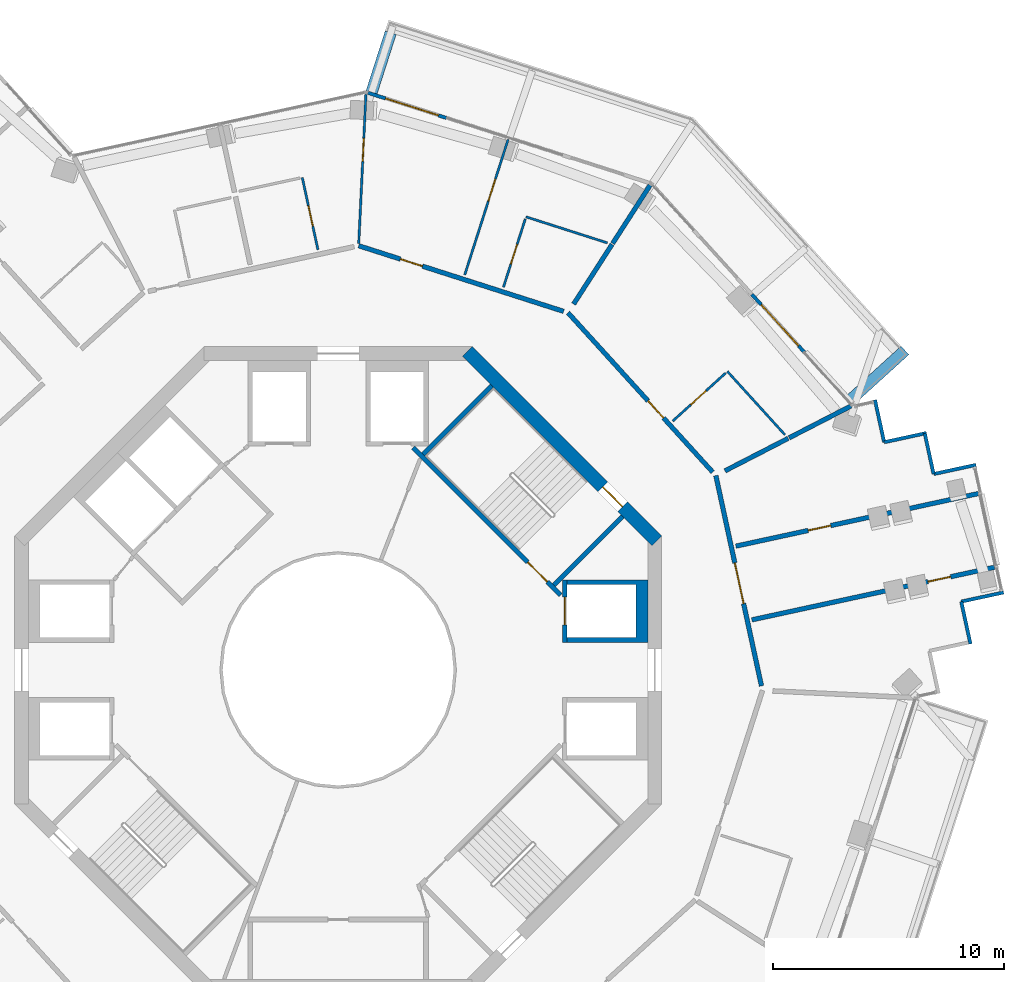
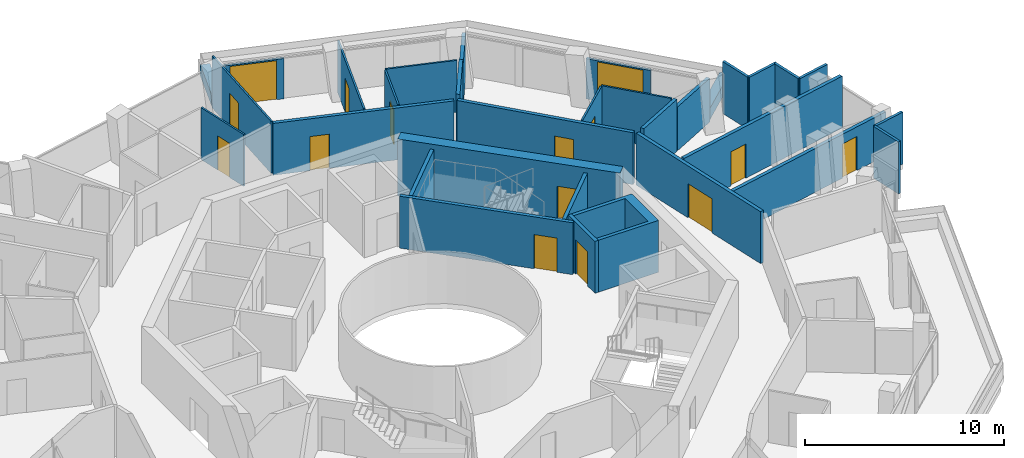
# One storey, part 19 of 23: 32 walls, 15 doors, 15 openings.
"""IFC4 building model written with IfcOpenShell, lengths in metres."""

from ifc_helpers import new_model, si_unit, direction, frame, frame_2d, origin, place, context, subcontext, project, spatial, polyline, rectangle, outline, extrude, material, layer, layer_set, type_object, element, fill, save


model = new_model("IFC4")

# Units and contexts
model_context = context("Model", 3, precision=1e-05, world=origin(), true_north=direction((0.0, 1.0)))
body_context = subcontext(model_context, "Body", "Model", "MODEL_VIEW")
ifc_project = project(units=[si_unit("LENGTHUNIT", "METRE"), si_unit("AREAUNIT", "SQUARE_METRE"), si_unit("VOLUMEUNIT", "CUBIC_METRE"), si_unit("PLANEANGLEUNIT", "RADIAN"), si_unit("MASSUNIT", "GRAM", prefix="KILO")], contexts=[model_context])

# Site, building, storey
site_placement = place(None, origin())
site = spatial("IfcSite", under=ifc_project, at=site_placement, CompositionType="ELEMENT")
building_placement = place(site_placement, origin())
building = spatial("IfcBuilding", under=site, at=building_placement, Name="Verdalira Terraces Hotel", CompositionType="ELEMENT")
storey_placement = place(building_placement, frame((0.0, 0.0, 205.5)))
storey = spatial("IfcBuildingStorey", under=building, at=storey_placement, Name="L50", CompositionType="ELEMENT", Elevation=205.5)

# Walls
ifc_material_1 = material(Name="Concrete C40", Category="concrete")
ifc_layer_1 = layer(ifc_material_1, 0.5)
ifc_layer_set_1 = layer_set([ifc_layer_1], Name="Balcony planter trough with tree")
wall_type_1 = type_object("IfcWallType", Name="Balcony planter trough with tree", PredefinedType="SOLIDWALL", material=ifc_layer_set_1)
wall_1_placement = place(storey_placement, frame((22.161621, 11.680908, 0.0), z_axis=(0.0, 0.0, 1.0), x_axis=(0.74028876, 0.672289039, 0.0)))
element("IfcWall", 1, at=wall_1_placement, inside=storey, type_object=wall_type_1, Name="Balcony planter", PredefinedType="SOLIDWALL", context=body_context, shape_type="SweptSolid", body=[
    extrude(rectangle(XDim=3.198975, YDim=0.5, at=frame_2d((1.599609, 0.0))), origin(), (0.0, 0.0, 1.0), 0.699951),
])
wall_2_placement = place(storey_placement, frame((2.270996, 27.580078, 0.0), z_axis=(0.0, 0.0, 1.0), x_axis=(-0.304998891, -0.952352706, 0.0)))
element("IfcWall", 2, at=wall_2_placement, inside=storey, type_object=wall_type_1, Name="Balcony planter", PredefinedType="SOLIDWALL", context=body_context, shape_type="SweptSolid", body=[
    extrude(rectangle(XDim=2.699219, YDim=0.5, at=frame_2d((1.349609, 0.0))), origin(), (0.0, 0.0, 1.0), 0.699951),
])

# Wall, opening, door
ifc_material_2 = material(Name="Moisture-resistant gypsum board partition")
ifc_layer_2 = layer(ifc_material_2, 0.10009765625)
ifc_layer_set_2 = layer_set([ifc_layer_2], Name="Bathroom partition 100 mm")
wall_type_2 = type_object("IfcWallType", Name="Bathroom partition 100 mm", PredefinedType="PARTITIONING", material=ifc_layer_set_2)
wall_3_placement = place(storey_placement, frame((-0.875488, 18.186035, 0.0), z_axis=(0.0, 0.0, 1.0), x_axis=(-0.21200838, 0.977267848, 0.0)))
wall_3 = element("IfcWall", 3, at=wall_3_placement, inside=storey, type_object=wall_type_2, Name="Bathroom partition", PredefinedType="PARTITIONING", context=body_context, shape_type="SweptSolid", body=[
    extrude(rectangle(XDim=3.200195, YDim=0.100098, at=frame_2d((1.600098, 0.0))), origin(), (0.0, 0.0, 1.0), 3.189941),
])
opening_1_placement = place(wall_3_placement, frame((1.050049, 0.0, 0.0)))
opening_1 = element("IfcOpeningElement", 4, at=opening_1_placement, cuts=wall_3, Name="Opening L50-132", PredefinedType="OPENING", context=body_context, shape_type="SweptSolid", body=[
    extrude(rectangle(XDim=0.899902, YDim=2.100098, at=frame_2d((0.449951, 1.050049))), frame((0.0, 0.060059, 0.0), z_axis=(0.0, -1.0, 0.0), x_axis=(1.0, 0.0, 0.0)), (0.0, 0.0, 1.0), 0.120117),
])
ifc_material_3 = material(Name="Timber door", Category="wood")
door_type_1 = type_object("IfcDoorType", Name="Bathroom door 900 x 2100", OperationType="NOTDEFINED", PredefinedType="DOOR", material=ifc_material_3)
door_1_placement = place(opening_1_placement, origin())
door_1 = element("IfcDoor", 5, at=door_1_placement, inside=storey, type_object=door_type_1, Name="Bathroom door 5012", OperationType="SINGLE_SWING_RIGHT", OverallHeight=2.10009765625, OverallWidth=0.89990234375, PredefinedType="DOOR", context=body_context, shape_type="SweptSolid", body=[
    extrude(rectangle(XDim=0.899902, YDim=2.100098, at=frame_2d((0.449951, 1.050049))), frame((0.0, 0.024902, 0.0), z_axis=(0.0, -1.0, 0.0), x_axis=(1.0, 0.0, 0.0)), (0.0, 0.0, 1.0), 0.050049),
])
fill(opening_1, door_1)

wall_4_placement = place(storey_placement, frame((0.890381, 18.466797, 0.0), z_axis=(0.0, 0.0, 1.0), x_axis=(0.048143701, 0.99884042, 0.0)))
wall_4 = element("IfcWall", 6, at=wall_4_placement, inside=storey, type_object=wall_type_2, Name="Bathroom partition", PredefinedType="PARTITIONING", context=body_context, shape_type="SweptSolid", body=[
    extrude(rectangle(XDim=6.47583, YDim=0.100098, at=frame_2d((3.237793, 0.0))), origin(), (0.0, 0.0, 1.0), 3.189941),
])
opening_2_placement = place(wall_4_placement, frame((3.550049, 0.0, 0.0)))
opening_2 = element("IfcOpeningElement", 7, at=opening_2_placement, cuts=wall_4, Name="Opening L50-130", PredefinedType="OPENING", context=body_context, shape_type="SweptSolid", body=[
    extrude(rectangle(XDim=1.0, YDim=2.100098, at=frame_2d((0.5, 1.050049))), frame((0.0, 0.060059, 0.0), z_axis=(0.0, -1.0, 0.0), x_axis=(1.0, 0.0, 0.0)), (0.0, 0.0, 1.0), 0.120117),
])
ifc_material_4 = material(Name="Timber door", Category="wood")
door_type_2 = type_object("IfcDoorType", Name="Suite internal door 1000 x 2100", OperationType="NOTDEFINED", PredefinedType="DOOR", material=ifc_material_4)
door_2_placement = place(opening_2_placement, origin())
door_2 = element("IfcDoor", 8, at=door_2_placement, inside=storey, type_object=door_type_2, Name="Suite internal door 5012", OperationType="SINGLE_SWING_LEFT", OverallHeight=2.10009765625, OverallWidth=1.0, PredefinedType="DOOR", context=body_context, shape_type="SweptSolid", body=[
    extrude(rectangle(XDim=1.0, YDim=2.100098, at=frame_2d((0.5, 1.050049))), frame((0.0, 0.024902, 0.0), z_axis=(0.0, -1.0, 0.0), x_axis=(1.0, 0.0, 0.0)), (0.0, 0.0, 1.0), 0.050049),
])
fill(opening_2, door_2)

wall_5_placement = place(storey_placement, frame((7.35376, 22.959473, 0.0), z_axis=(0.0, 0.0, 1.0), x_axis=(-0.305034988, -0.952341145, 0.0)))
wall_5 = element("IfcWall", 9, at=wall_5_placement, inside=storey, type_object=wall_type_2, Name="Bathroom partition", PredefinedType="PARTITIONING", context=body_context, shape_type="SweptSolid", body=[
    extrude(rectangle(XDim=6.150146, YDim=0.100098, at=frame_2d((3.075195, 0.0))), origin(), (0.0, 0.0, 1.0), 3.189941),
])
opening_3_placement = place(wall_5_placement, frame((1.800049, 0.0, 0.0)))
opening_3 = element("IfcOpeningElement", 10, at=opening_3_placement, cuts=wall_5, Name="Opening L50-129", PredefinedType="OPENING", context=body_context, shape_type="SweptSolid", body=[
    extrude(rectangle(XDim=1.0, YDim=2.100098, at=frame_2d((0.5, 1.050049))), frame((0.0, 0.060059, 0.0), z_axis=(0.0, -1.0, 0.0), x_axis=(1.0, 0.0, 0.0)), (0.0, 0.0, 1.0), 0.120117),
])
door_3_placement = place(opening_3_placement, origin())
door_3 = element("IfcDoor", 11, at=door_3_placement, inside=storey, type_object=door_type_2, Name="Suite internal door 5012", OperationType="SINGLE_SWING_LEFT", OverallHeight=2.10009765625, OverallWidth=1.0, PredefinedType="DOOR", context=body_context, shape_type="SweptSolid", body=[
    extrude(rectangle(XDim=1.0, YDim=2.100098, at=frame_2d((0.5, 1.050049))), frame((0.0, 0.024902, 0.0), z_axis=(0.0, -1.0, 0.0), x_axis=(1.0, 0.0, 0.0)), (0.0, 0.0, 1.0), 0.050049),
])
fill(opening_3, door_3)

wall_6_placement = place(storey_placement, frame((8.0979, 19.518311, 0.0), z_axis=(0.0, 0.0, 1.0), x_axis=(-0.305030051, -0.952342726, 0.0)))
wall_6 = element("IfcWall", 12, at=wall_6_placement, inside=storey, type_object=wall_type_2, Name="Bathroom partition", PredefinedType="PARTITIONING", context=body_context, shape_type="SweptSolid", body=[
    extrude(rectangle(XDim=3.099854, YDim=0.100098, at=frame_2d((1.549805, 0.0))), origin(), (0.0, 0.0, 1.0), 3.189941),
])
opening_4_placement = place(wall_6_placement, frame((1.149902, 0.0, 0.0)))
opening_4 = element("IfcOpeningElement", 13, at=opening_4_placement, cuts=wall_6, Name="Opening L50-131", PredefinedType="OPENING", context=body_context, shape_type="SweptSolid", body=[
    extrude(rectangle(XDim=0.899902, YDim=2.100098, at=frame_2d((0.449951, 1.050049))), frame((0.0, 0.060059, 0.0), z_axis=(0.0, -1.0, 0.0), x_axis=(1.0, 0.0, 0.0)), (0.0, 0.0, 1.0), 0.120117),
])
door_4_placement = place(opening_4_placement, origin())
door_4 = element("IfcDoor", 14, at=door_4_placement, inside=storey, type_object=door_type_1, Name="Bathroom door 5012", OperationType="SINGLE_SWING_LEFT", OverallHeight=2.10009765625, OverallWidth=0.89990234375, PredefinedType="DOOR", context=body_context, shape_type="SweptSolid", body=[
    extrude(rectangle(XDim=0.899902, YDim=2.100098, at=frame_2d((0.449951, 1.050049))), frame((0.0, 0.024902, 0.0), z_axis=(0.0, -1.0, 0.0), x_axis=(1.0, 0.0, 0.0)), (0.0, 0.0, 1.0), 0.050049),
])
fill(opening_4, door_4)

# Wall
wall_7_placement = place(storey_placement, frame((11.656006, 18.483887, 0.0), z_axis=(0.0, 0.0, 1.0), x_axis=(-0.952360606, 0.304974221, 0.0)))
element("IfcWall", 15, at=wall_7_placement, inside=storey, type_object=wall_type_2, Name="Bathroom partition", PredefinedType="PARTITIONING", context=body_context, shape_type="SweptSolid", body=[
    extrude(rectangle(XDim=3.704102, YDim=0.100098, at=frame_2d((1.852051, 0.0))), origin(), (0.0, 0.0, 1.0), 3.189941),
])

# Wall, opening, door
wall_8_placement = place(storey_placement, frame((16.772217, 12.854492, 0.0), z_axis=(0.0, 0.0, 1.0), x_axis=(-0.74031058, -0.672265011, 0.0)))
wall_8 = element("IfcWall", 16, at=wall_8_placement, inside=storey, type_object=wall_type_2, Name="Bathroom partition", PredefinedType="PARTITIONING", context=body_context, shape_type="SweptSolid", body=[
    extrude(rectangle(XDim=3.099854, YDim=0.100098, at=frame_2d((1.549805, 0.0))), origin(), (0.0, 0.0, 1.0), 3.189941),
])
opening_5_placement = place(wall_8_placement, frame((1.149902, 0.0, 0.0)))
opening_5 = element("IfcOpeningElement", 17, at=opening_5_placement, cuts=wall_8, Name="Opening L50-127", PredefinedType="OPENING", context=body_context, shape_type="SweptSolid", body=[
    extrude(rectangle(XDim=0.899902, YDim=2.100098, at=frame_2d((0.449951, 1.050049))), frame((0.0, 0.060059, 0.0), z_axis=(0.0, -1.0, 0.0), x_axis=(1.0, 0.0, 0.0)), (0.0, 0.0, 1.0), 0.120117),
])
door_5_placement = place(opening_5_placement, origin())
door_5 = element("IfcDoor", 18, at=door_5_placement, inside=storey, type_object=door_type_1, Name="Bathroom door 5011", OperationType="SINGLE_SWING_LEFT", OverallHeight=2.10009765625, OverallWidth=0.89990234375, PredefinedType="DOOR", context=body_context, shape_type="SweptSolid", body=[
    extrude(rectangle(XDim=0.899902, YDim=2.100098, at=frame_2d((0.449951, 1.050049))), frame((0.0, 0.024902, 0.0), z_axis=(0.0, -1.0, 0.0), x_axis=(1.0, 0.0, 0.0)), (0.0, 0.0, 1.0), 0.050049),
])
fill(opening_5, door_5)

# Walls
wall_9_placement = place(storey_placement, frame((16.846191, 12.921631, 0.0), z_axis=(0.0, 0.0, 1.0), x_axis=(0.672242906, -0.740330652, 0.0)))
element("IfcWall", 19, at=wall_9_placement, inside=storey, type_object=wall_type_2, Name="Bathroom partition", PredefinedType="PARTITIONING", context=body_context, shape_type="SweptSolid", body=[
    extrude(rectangle(XDim=3.704102, YDim=0.100098, at=frame_2d((1.852051, 0.0))), origin(), (0.0, 0.0, 1.0), 3.189941),
])
ifc_material_5 = material(Name="Concrete C50", Category="concrete")
ifc_layer_3 = layer(ifc_material_5, 0.199951171875)
ifc_layer_set_3 = layer_set([ifc_layer_3], Name="Core RC wall 200 C50")
wall_type_3 = type_object("IfcWallType", Name="Core RC wall 200 C50", PredefinedType="SOLIDWALL", material=ifc_layer_set_3)
wall_10_placement = place(storey_placement, origin())
element("IfcWall", 20, at=wall_10_placement, inside=storey, type_object=wall_type_3, Name="L50 shaft wall E2", PredefinedType="SOLIDWALL", context=body_context, shape_type="SweptSolid", body=[
    extrude(outline(polyline([(13.399902, 3.899902), (13.399902, 1.199951), (9.899902, 1.199951), (9.899902, 1.399902), (12.899902, 1.399902), (12.899902, 3.699951), (9.899902, 3.699951), (9.899902, 3.899902), (13.399902, 3.899902)])), origin(), (0.0, 0.0, 1.0), 3.189941),
])

# Wall, opening, door
wall_11_placement = place(storey_placement, frame((9.800049, 1.199951, 0.0), z_axis=(0.0, 0.0, 1.0), x_axis=(0.0, 1.0, 0.0)))
wall_11 = element("IfcWall", 21, at=wall_11_placement, inside=storey, type_object=wall_type_3, Name="L50 shaft front wall E2", PredefinedType="SOLIDWALL", context=body_context, shape_type="SweptSolid", body=[
    extrude(rectangle(XDim=2.699951, YDim=0.199951, at=frame_2d((1.350098, 0.0))), origin(), (0.0, 0.0, 1.0), 3.189941),
])
opening_6_placement = place(wall_11_placement, frame((0.75, 0.0, 0.0)))
opening_6 = element("IfcOpeningElement", 22, at=opening_6_placement, cuts=wall_11, Name="Opening LD-L50-803", PredefinedType="OPENING", context=body_context, shape_type="SweptSolid", body=[
    extrude(rectangle(XDim=1.199951, YDim=2.100098, at=frame_2d((0.600098, 1.050049))), frame((0.0, 0.109863, 0.0), z_axis=(0.0, -1.0, 0.0), x_axis=(1.0, 0.0, 0.0)), (0.0, 0.0, 1.0), 0.219971),
])
ifc_material_6 = material(Name="Stainless steel", Category="steel")
door_type_3 = type_object("IfcDoorType", Name="Landing door 1200 x 2100", OperationType="NOTDEFINED", PredefinedType="DOOR", material=ifc_material_6)
door_6_placement = place(opening_6_placement, origin())
door_6 = element("IfcDoor", 23, at=door_6_placement, inside=storey, type_object=door_type_3, Name="Lift landing door HR2 L50", OperationType="DOUBLE_DOOR_SLIDING", OverallHeight=2.10009765625, OverallWidth=1.199951171875, PredefinedType="DOOR", context=body_context, shape_type="SweptSolid", body=[
    extrude(rectangle(XDim=1.199951, YDim=2.100098, at=frame_2d((0.600098, 1.050049))), frame((0.0, 0.024902, 0.0), z_axis=(0.0, -1.0, 0.0), x_axis=(1.0, 0.0, 0.0)), (0.0, 0.0, 1.0), 0.050049),
])
fill(opening_6, door_6)

wall_12_placement = place(storey_placement, frame((3.23999, 9.629395, 0.0), z_axis=(0.0, 0.0, 1.0), x_axis=(0.707106781, -0.707106781, 0.0)))
wall_12 = element("IfcWall", 24, at=wall_12_placement, inside=storey, type_object=wall_type_3, Name="L50 stair ST1 front wall", PredefinedType="SOLIDWALL", context=body_context, shape_type="SweptSolid", body=[
    extrude(rectangle(XDim=9.035889, YDim=0.199951, at=frame_2d((4.518066, 0.0))), origin(), (0.0, 0.0, 1.0), 3.189941),
])
opening_7_placement = place(wall_12_placement, frame((7.017822, 0.0, 0.0)))
opening_7 = element("IfcOpeningElement", 25, at=opening_7_placement, cuts=wall_12, Name="Opening L50-810", PredefinedType="OPENING", context=body_context, shape_type="SweptSolid", body=[
    extrude(rectangle(XDim=1.199951, YDim=2.100098, at=frame_2d((0.600098, 1.050049))), frame((0.0, 0.109863, 0.0), z_axis=(0.0, -1.0, 0.0), x_axis=(1.0, 0.0, 0.0)), (0.0, 0.0, 1.0), 0.219971),
])
ifc_material_7 = material(Name="Steel fire door", Category="steel")
door_type_4 = type_object("IfcDoorType", Name="Stair door 1200 x 2100", OperationType="NOTDEFINED", PredefinedType="DOOR", material=ifc_material_7)
door_7_placement = place(opening_7_placement, origin())
door_7 = element("IfcDoor", 26, at=door_7_placement, inside=storey, type_object=door_type_4, Name="Stair door ST1 L50", OperationType="SINGLE_SWING_RIGHT", OverallHeight=2.10009765625, OverallWidth=1.199951171875, PredefinedType="DOOR", context=body_context, shape_type="SweptSolid", body=[
    extrude(rectangle(XDim=1.199951, YDim=2.100098, at=frame_2d((0.600098, 1.050049))), frame((0.0, 0.024902, 0.0), z_axis=(0.0, -1.0, 0.0), x_axis=(1.0, 0.0, 0.0)), (0.0, 0.0, 1.0), 0.050049),
])
fill(opening_7, door_7)

# Walls
for number, where, z_axis, x_axis, name in (
    (27, (9.33374, 3.677002, 0.0), (0.0, 0.0, 1.0), (0.707135845, 0.707077716, 0.0), "L50 stair ST1 end wall 1"),
    (28, (3.677002, 9.33374, 0.0), (0.0, 0.0, 1.0), (0.707077716, 0.707135845, 0.0), "L50 stair ST1 end wall 2"),
):
    element("IfcWall", number, at=place(storey_placement, frame(where, z_axis=z_axis, x_axis=x_axis)), inside=storey, type_object=wall_type_3, Name=name, PredefinedType="SOLIDWALL", context=body_context, shape_type="SweptSolid", body=[
        extrude(rectangle(XDim=4.199951, YDim=0.199951, at=frame_2d((2.100098, 0.0))), origin(), (0.0, 0.0, 1.0), 3.189941),
    ])

# Wall, opening, door
ifc_material_8 = material(Name="Concrete C60", Category="concrete")
ifc_layer_4 = layer(ifc_material_8, 0.60009765625)
ifc_layer_set_4 = layer_set([ifc_layer_4], Name="Core wall 600 C60")
wall_type_4 = type_object("IfcWallType", Name="Core wall 600 C60", PredefinedType="SHEAR", material=ifc_layer_set_4)
wall_13_placement = place(storey_placement, frame((13.787842, 5.586914, 0.0), z_axis=(0.0, 0.0, 1.0), x_axis=(-0.707106781, 0.707106781, 0.0)))
wall_13 = element("IfcWall", 29, at=wall_13_placement, inside=storey, type_object=wall_type_4, Name="Core wall CW-L50-2", PredefinedType="SHEAR", context=body_context, shape_type="SweptSolid", body=[
    extrude(rectangle(XDim=11.5979, YDim=0.600098, at=frame_2d((5.798828, 0.0))), origin(), (0.0, 0.0, 1.0), 3.5),
])
opening_8_placement = place(wall_13_placement, frame((2.099121, 0.0, 0.0)))
opening_8 = element("IfcOpeningElement", 30, at=opening_8_placement, cuts=wall_13, Name="Opening L50-816", PredefinedType="OPENING", context=body_context, shape_type="SweptSolid", body=[
    extrude(rectangle(XDim=1.199951, YDim=2.100098, at=frame_2d((0.600098, 1.050049))), frame((0.0, 0.310059, 0.0), z_axis=(0.0, -1.0, 0.0), x_axis=(1.0, 0.0, 0.0)), (0.0, 0.0, 1.0), 0.620117),
])
door_8_placement = place(opening_8_placement, origin())
door_8 = element("IfcDoor", 31, at=door_8_placement, inside=storey, type_object=door_type_4, Name="Stair exit door ST1 L50", OperationType="SINGLE_SWING_LEFT", OverallHeight=2.10009765625, OverallWidth=1.199951171875, PredefinedType="DOOR", context=body_context, shape_type="SweptSolid", body=[
    extrude(rectangle(XDim=1.199951, YDim=2.100098, at=frame_2d((0.600098, 1.050049))), frame((0.0, 0.024902, 0.0), z_axis=(0.0, -1.0, 0.0), x_axis=(1.0, 0.0, 0.0)), (0.0, 0.0, 1.0), 0.050049),
])
fill(opening_8, door_8)

# Walls
ifc_material_9 = material(Name="Fire-rated gypsum board wall")
ifc_layer_5 = layer(ifc_material_9, 0.199951171875)
ifc_layer_set_5 = layer_set([ifc_layer_5], Name="Demising wall 200 mm")
wall_type_5 = type_object("IfcWallType", Name="Demising wall 200 mm", PredefinedType="SOLIDWALL", material=ifc_layer_set_5)
for number, where, z_axis, x_axis, name in (
    (32, (10.19043, 15.83667, 0.0), (0.0, 0.0, 1.0), (0.541122731, 0.840943631, 0.0), "Demising wall"),
    (33, (16.743408, 8.619873, 0.0), (0.0, 0.0, 1.0), (0.889125357, 0.45766374, 0.0), "Demising wall"),
):
    element("IfcWall", number, at=place(storey_placement, frame(where, z_axis=z_axis, x_axis=x_axis)), inside=storey, type_object=wall_type_5, Name=name, PredefinedType="SOLIDWALL", context=body_context, shape_type="SweptSolid", body=[
        extrude(rectangle(XDim=3.074707, YDim=0.199951, at=frame_2d((1.537354, 0.0))), origin(), (0.0, 0.0, 1.0), 3.189941),
    ])

# Wall, opening, door
wall_14_placement = place(storey_placement, frame((17.213135, 5.360107, 0.0), z_axis=(0.0, 0.0, 1.0), x_axis=(0.97726953, 0.212000629, 0.0)))
wall_14 = element("IfcWall", 34, at=wall_14_placement, inside=storey, type_object=wall_type_5, Name="Demising wall", PredefinedType="SOLIDWALL", context=body_context, shape_type="SweptSolid", body=[
    extrude(rectangle(XDim=10.750244, YDim=0.199951, at=frame_2d((5.375, 0.0))), origin(), (0.0, 0.0, 1.0), 3.189941),
])
opening_9_placement = place(wall_14_placement, frame((3.199951, 0.0, 0.0)))
opening_9 = element("IfcOpeningElement", 35, at=opening_9_placement, cuts=wall_14, Name="Opening L50-125", PredefinedType="OPENING", context=body_context, shape_type="SweptSolid", body=[
    extrude(rectangle(XDim=1.0, YDim=2.100098, at=frame_2d((0.5, 1.050049))), frame((0.0, 0.109863, 0.0), z_axis=(0.0, -1.0, 0.0), x_axis=(1.0, 0.0, 0.0)), (0.0, 0.0, 1.0), 0.219971),
])
ifc_material_10 = material(Name="Timber fire door", Category="wood")
door_type_5 = type_object("IfcDoorType", Name="Public room door 1000 x 2100", OperationType="NOTDEFINED", PredefinedType="DOOR", material=ifc_material_10)
door_9_placement = place(opening_9_placement, origin())
door_9 = element("IfcDoor", 36, at=door_9_placement, inside=storey, type_object=door_type_5, Name="Public room door 5010", OperationType="SINGLE_SWING_LEFT", OverallHeight=2.10009765625, OverallWidth=1.0, PredefinedType="DOOR", context=body_context, shape_type="SweptSolid", body=[
    extrude(rectangle(XDim=1.0, YDim=2.100098, at=frame_2d((0.5, 1.050049))), frame((0.0, 0.024902, 0.0), z_axis=(0.0, -1.0, 0.0), x_axis=(1.0, 0.0, 0.0)), (0.0, 0.0, 1.0), 0.050049),
])
fill(opening_9, door_9)

# Walls
ifc_material_11 = material(Name="Fire-rated gypsum board wall")
ifc_layer_6 = layer(ifc_material_11, 0.199951171875)
ifc_layer_set_6 = layer_set([ifc_layer_6], Name="Demising wall 200 mm to beam soffit")
wall_type_6 = type_object("IfcWallType", Name="Demising wall 200 mm to beam soffit", PredefinedType="SOLIDWALL", material=ifc_layer_set_6)
for number, where, z_axis, x_axis, name in (
    (37, (11.878906, 18.460938, 0.0), (0.0, 0.0, 1.0), (0.541138592, 0.840933425, 0.0), "Demising wall"),
    (38, (19.518066, 10.048096, 0.0), (0.0, 0.0, 1.0), (0.889095542, 0.457721659, 0.0), "Demising wall"),
):
    element("IfcWall", number, at=place(storey_placement, frame(where, z_axis=z_axis, x_axis=x_axis)), inside=storey, type_object=wall_type_6, Name=name, PredefinedType="SOLIDWALL", context=body_context, shape_type="SweptSolid", body=[
        extrude(rectangle(XDim=3.011475, YDim=0.199951, at=frame_2d((1.505859, 0.0))), origin(), (0.0, 0.0, 1.0), 2.689941),
    ])

# Wall, opening, door
wall_15_placement = place(storey_placement, frame((28.410889, 4.44873, 0.0), z_axis=(0.0, 0.0, 1.0), x_axis=(-0.977267488, -0.21201004, 0.0)))
wall_15 = element("IfcWall", 39, at=wall_15_placement, inside=storey, type_object=wall_type_6, Name="Demising wall", PredefinedType="SOLIDWALL", context=body_context, shape_type="SweptSolid", body=[
    extrude(rectangle(XDim=10.749756, YDim=0.199951, at=frame_2d((5.375, 0.0))), origin(), (0.0, 0.0, 1.0), 2.689941),
])
opening_10_placement = place(wall_15_placement, frame((1.949951, 0.0, 0.0)))
opening_10 = element("IfcOpeningElement", 40, at=opening_10_placement, cuts=wall_15, Name="Opening L50-124", PredefinedType="OPENING", context=body_context, shape_type="SweptSolid", body=[
    extrude(rectangle(XDim=1.0, YDim=2.100098, at=frame_2d((0.5, 1.050049))), frame((0.0, 0.109863, 0.0), z_axis=(0.0, -1.0, 0.0), x_axis=(1.0, 0.0, 0.0)), (0.0, 0.0, 1.0), 0.219971),
])
door_10_placement = place(opening_10_placement, origin())
door_10 = element("IfcDoor", 41, at=door_10_placement, inside=storey, type_object=door_type_5, Name="Public room door 5010", OperationType="SINGLE_SWING_LEFT", OverallHeight=2.10009765625, OverallWidth=1.0, PredefinedType="DOOR", context=body_context, shape_type="SweptSolid", body=[
    extrude(rectangle(XDim=1.0, YDim=2.100098, at=frame_2d((0.5, 1.050049))), frame((0.0, 0.024902, 0.0), z_axis=(0.0, -1.0, 0.0), x_axis=(1.0, 0.0, 0.0)), (0.0, 0.0, 1.0), 0.050049),
])
fill(opening_10, door_10)

ifc_material_12 = material(Name="Fire-rated gypsum board wall")
ifc_layer_7 = layer(ifc_material_12, 0.199951171875)
ifc_layer_set_7 = layer_set([ifc_layer_7], Name="Guest corridor wall 200 mm")
wall_type_7 = type_object("IfcWallType", Name="Guest corridor wall 200 mm", PredefinedType="SOLIDWALL", material=ifc_layer_set_7)
wall_16_placement = place(storey_placement, frame((0.885254, 18.363281, 0.0), z_axis=(0.0, 0.0, 1.0), x_axis=(0.952343787, -0.305026737, 0.0)))
wall_16 = element("IfcWall", 42, at=wall_16_placement, inside=storey, type_object=wall_type_7, Name="Guest corridor wall", PredefinedType="SOLIDWALL", context=body_context, shape_type="SweptSolid", body=[
    extrude(rectangle(XDim=9.31665, YDim=0.199951, at=frame_2d((4.658203, 0.0))), origin(), (0.0, 0.0, 1.0), 3.189941),
])
opening_11_placement = place(wall_16_placement, frame((1.899902, 0.0, 0.0)))
opening_11 = element("IfcOpeningElement", 43, at=opening_11_placement, cuts=wall_16, Name="Opening L50-128", PredefinedType="OPENING", context=body_context, shape_type="SweptSolid", body=[
    extrude(rectangle(XDim=1.0, YDim=2.100098, at=frame_2d((0.5, 1.050049))), frame((0.0, 0.109863, 0.0), z_axis=(0.0, -1.0, 0.0), x_axis=(1.0, 0.0, 0.0)), (0.0, 0.0, 1.0), 0.219971),
])
ifc_material_13 = material(Name="Timber fire door", Category="wood")
door_type_6 = type_object("IfcDoorType", Name="Guest entry door 1000 x 2100", OperationType="NOTDEFINED", PredefinedType="DOOR", material=ifc_material_13)
door_11_placement = place(opening_11_placement, origin())
door_11 = element("IfcDoor", 44, at=door_11_placement, inside=storey, type_object=door_type_6, Name="Guest entry door 5012", OperationType="SINGLE_SWING_LEFT", OverallHeight=2.10009765625, OverallWidth=1.0, PredefinedType="DOOR", context=body_context, shape_type="SweptSolid", body=[
    extrude(rectangle(XDim=1.0, YDim=2.100098, at=frame_2d((0.5, 1.050049))), frame((0.0, 0.024902, 0.0), z_axis=(0.0, -1.0, 0.0), x_axis=(1.0, 0.0, 0.0)), (0.0, 0.0, 1.0), 0.050049),
])
fill(opening_11, door_11)

wall_17_placement = place(storey_placement, frame((9.948486, 15.460449, 0.0), z_axis=(0.0, 0.0, 1.0), x_axis=(0.672246163, -0.740327695, 0.0)))
wall_17 = element("IfcWall", 45, at=wall_17_placement, inside=storey, type_object=wall_type_7, Name="Guest corridor wall", PredefinedType="SOLIDWALL", context=body_context, shape_type="SweptSolid", body=[
    extrude(rectangle(XDim=9.316406, YDim=0.199951, at=frame_2d((4.658203, 0.0))), origin(), (0.0, 0.0, 1.0), 3.189941),
])
opening_12_placement = place(wall_17_placement, frame((5.149902, 0.0, 0.0)))
opening_12 = element("IfcOpeningElement", 46, at=opening_12_placement, cuts=wall_17, Name="Opening L50-126", PredefinedType="OPENING", context=body_context, shape_type="SweptSolid", body=[
    extrude(rectangle(XDim=1.0, YDim=2.100098, at=frame_2d((0.5, 1.050049))), frame((0.0, 0.109863, 0.0), z_axis=(0.0, -1.0, 0.0), x_axis=(1.0, 0.0, 0.0)), (0.0, 0.0, 1.0), 0.219971),
])
door_12_placement = place(opening_12_placement, origin())
door_12 = element("IfcDoor", 47, at=door_12_placement, inside=storey, type_object=door_type_6, Name="Guest entry door 5011", OperationType="SINGLE_SWING_LEFT", OverallHeight=2.10009765625, OverallWidth=1.0, PredefinedType="DOOR", context=body_context, shape_type="SweptSolid", body=[
    extrude(rectangle(XDim=1.0, YDim=2.100098, at=frame_2d((0.5, 1.050049))), frame((0.0, 0.024902, 0.0), z_axis=(0.0, -1.0, 0.0), x_axis=(1.0, 0.0, 0.0)), (0.0, 0.0, 1.0), 0.050049),
])
fill(opening_12, door_12)

wall_18_placement = place(storey_placement, frame((16.345947, 8.415039, 0.0), z_axis=(0.0, 0.0, 1.0), x_axis=(0.211999887, -0.97726969, 0.0)))
wall_18 = element("IfcWall", 48, at=wall_18_placement, inside=storey, type_object=wall_type_7, Name="Guest corridor wall", PredefinedType="SOLIDWALL", context=body_context, shape_type="SweptSolid", body=[
    extrude(rectangle(XDim=9.316406, YDim=0.199951, at=frame_2d((4.658203, 0.0))), origin(), (0.0, 0.0, 1.0), 3.189941),
])
opening_13_placement = place(wall_18_placement, frame((3.869385, 0.0, 0.0)))
opening_13 = element("IfcOpeningElement", 49, at=opening_13_placement, cuts=wall_18, Name="Opening L50-123", PredefinedType="OPENING", context=body_context, shape_type="SweptSolid", body=[
    extrude(rectangle(XDim=1.800049, YDim=2.100098, at=frame_2d((0.899902, 1.050049))), frame((0.0, 0.109863, 0.0), z_axis=(0.0, -1.0, 0.0), x_axis=(1.0, 0.0, 0.0)), (0.0, 0.0, 1.0), 0.219971),
])
ifc_material_14 = material(Name="Timber fire door", Category="wood")
door_type_7 = type_object("IfcDoorType", Name="Public room double door 1800 x 2100", OperationType="NOTDEFINED", PredefinedType="DOOR", material=ifc_material_14)
door_13_placement = place(opening_13_placement, origin())
door_13 = element("IfcDoor", 50, at=door_13_placement, inside=storey, type_object=door_type_7, Name="Public room double door 5010", OperationType="DOUBLE_DOOR_SINGLE_SWING", OverallHeight=2.10009765625, OverallWidth=1.800048828125, PredefinedType="DOOR", context=body_context, shape_type="SweptSolid", body=[
    extrude(rectangle(XDim=1.800049, YDim=2.100098, at=frame_2d((0.899902, 1.050049))), frame((0.0, 0.024902, 0.0), z_axis=(0.0, -1.0, 0.0), x_axis=(1.0, 0.0, 0.0)), (0.0, 0.0, 1.0), 0.050049),
])
fill(opening_13, door_13)

# Walls
ifc_material_15 = material(Name="Terracotta cladding", Category="masonry")
ifc_layer_8 = layer(ifc_material_15, 0.14990234375)
ifc_layer_set_8 = layer_set([ifc_layer_8], Name="Terracotta clad wall 150")
wall_type_8 = type_object("IfcWallType", Name="Terracotta clad wall 150", PredefinedType="SOLIDWALL", material=ifc_layer_set_8)
for number, where, z_axis, x_axis, name in (
    (51, (27.366455, 1.127441, 0.0), (0.0, 0.0, 1.0), (-0.212089101, 0.977250333, 0.0), "Terracotta cladding wall"),
    (52, (26.96875, 2.959961, 0.0), (0.0, 0.0, 1.0), (0.977277311, 0.211964756, 0.0), "Terracotta cladding wall"),
    (53, (27.603516, 8.878906, 0.0), (0.0, 0.0, 1.0), (-0.977277311, -0.211964756, 0.0), "Terracotta cladding wall"),
):
    element("IfcWall", number, at=place(storey_placement, frame(where, z_axis=z_axis, x_axis=x_axis)), inside=storey, type_object=wall_type_8, Name=name, PredefinedType="SOLIDWALL", context=body_context, shape_type="SweptSolid", body=[
        extrude(rectangle(XDim=1.875244, YDim=0.149902, at=frame_2d((0.9375, 0.0))), origin(), (0.0, 0.0, 1.0), 3.189941),
    ])
wall_19_placement = place(storey_placement, frame((25.770996, 8.481445, 0.0), z_axis=(0.0, 0.0, 1.0), x_axis=(-0.212001655, 0.977269307, 0.0)))
element("IfcWall", 54, at=wall_19_placement, inside=storey, type_object=wall_type_8, Name="Terracotta cladding wall", PredefinedType="SOLIDWALL", context=body_context, shape_type="SweptSolid", body=[
    extrude(rectangle(XDim=1.800049, YDim=0.149902, at=frame_2d((0.899902, 0.0))), origin(), (0.0, 0.0, 1.0), 3.189941),
])
wall_20_placement = place(storey_placement, frame((25.462646, 10.256348, 0.0), z_axis=(0.0, 0.0, 1.0), x_axis=(-0.97727146, -0.21199173, 0.0)))
element("IfcWall", 55, at=wall_20_placement, inside=storey, type_object=wall_type_8, Name="Terracotta cladding wall", PredefinedType="SOLIDWALL", context=body_context, shape_type="SweptSolid", body=[
    extrude(rectangle(XDim=1.875, YDim=0.149902, at=frame_2d((0.9375, 0.0))), origin(), (0.0, 0.0, 1.0), 3.189941),
])
wall_21_placement = place(storey_placement, frame((23.630371, 9.858887, 0.0), z_axis=(0.0, 0.0, 1.0), x_axis=(-0.211964756, 0.977277311, 0.0)))
element("IfcWall", 56, at=wall_21_placement, inside=storey, type_object=wall_type_8, Name="Terracotta cladding wall", PredefinedType="SOLIDWALL", context=body_context, shape_type="SweptSolid", body=[
    extrude(rectangle(XDim=1.875244, YDim=0.149902, at=frame_2d((0.9375, 0.0))), origin(), (0.0, 0.0, 1.0), 3.189941),
])

# Wall, opening, door
ifc_material_16 = material(Name="Terracotta cladding", Category="masonry")
ifc_layer_9 = layer(ifc_material_16, 0.14990234375)
ifc_layer_set_9 = layer_set([ifc_layer_9], Name="Terracotta door pier 150")
wall_type_9 = type_object("IfcWallType", Name="Terracotta door pier 150", PredefinedType="SOLIDWALL", material=ifc_layer_set_9)
wall_22_placement = place(storey_placement, frame((20.189453, 13.739746, 0.0), z_axis=(0.0, 0.0, 1.0), x_axis=(-0.672250944, 0.740323354, 0.0)))
wall_22 = element("IfcWall", 57, at=wall_22_placement, inside=storey, type_object=wall_type_9, Name="Terracotta door pier", PredefinedType="SOLIDWALL", context=body_context, shape_type="SweptSolid", body=[
    extrude(rectangle(XDim=3.399902, YDim=0.149902, at=frame_2d((1.699951, 0.0))), origin(), (0.0, 0.0, 1.0), 2.475098),
])
opening_14_placement = place(wall_22_placement, frame((0.399902, 0.0, 0.0)))
opening_14 = element("IfcOpeningElement", 58, at=opening_14_placement, cuts=wall_22, Name="Opening L50-B10", PredefinedType="OPENING", context=body_context, shape_type="SweptSolid", body=[
    extrude(rectangle(XDim=2.399902, YDim=2.399902, at=frame_2d((1.199951, 1.199951))), frame((0.0, 0.084961, 0.0), z_axis=(0.0, -1.0, 0.0), x_axis=(1.0, 0.0, 0.0)), (0.0, 0.0, 1.0), 0.169922),
])
ifc_material_17 = material(Name="Clear glass", Category="glass")
door_type_8 = type_object("IfcDoorType", Name="Balcony sliding door 2400x2400", OperationType="NOTDEFINED", PredefinedType="DOOR", material=ifc_material_17)
door_14_placement = place(opening_14_placement, origin())
door_14 = element("IfcDoor", 59, at=door_14_placement, inside=storey, type_object=door_type_8, Name="Balcony sliding door", OperationType="SLIDING_TO_RIGHT", OverallHeight=2.39990234375, OverallWidth=2.39990234375, PredefinedType="DOOR", context=body_context, shape_type="SweptSolid", body=[
    extrude(rectangle(XDim=2.399902, YDim=2.399902, at=frame_2d((1.199951, 1.199951))), frame((0.0, 0.024902, 0.0), z_axis=(0.0, -1.0, 0.0), x_axis=(1.0, 0.0, 0.0)), (0.0, 0.0, 1.0), 0.050049),
])
fill(opening_14, door_14)

wall_23_placement = place(storey_placement, frame((4.718506, 23.88208, 0.0), z_axis=(0.0, 0.0, 1.0), x_axis=(-0.952338489, 0.30504328, 0.0)))
wall_23 = element("IfcWall", 60, at=wall_23_placement, inside=storey, type_object=wall_type_9, Name="Terracotta door pier", PredefinedType="SOLIDWALL", context=body_context, shape_type="SweptSolid", body=[
    extrude(rectangle(XDim=3.608887, YDim=0.149902, at=frame_2d((1.804443, 0.0))), origin(), (0.0, 0.0, 1.0), 2.475098),
])
opening_15_placement = place(wall_23_placement, frame((0.399902, 0.0, 0.0)))
opening_15 = element("IfcOpeningElement", 61, at=opening_15_placement, cuts=wall_23, Name="Opening L50-B13", PredefinedType="OPENING", context=body_context, shape_type="SweptSolid", body=[
    extrude(rectangle(XDim=2.399902, YDim=2.399902, at=frame_2d((1.199951, 1.199951))), frame((0.0, 0.084961, 0.0), z_axis=(0.0, -1.0, 0.0), x_axis=(1.0, 0.0, 0.0)), (0.0, 0.0, 1.0), 0.169922),
])
door_15_placement = place(opening_15_placement, origin())
door_15 = element("IfcDoor", 62, at=door_15_placement, inside=storey, type_object=door_type_8, Name="Balcony sliding door", OperationType="SLIDING_TO_RIGHT", OverallHeight=2.39990234375, OverallWidth=2.39990234375, PredefinedType="DOOR", context=body_context, shape_type="SweptSolid", body=[
    extrude(rectangle(XDim=2.399902, YDim=2.399902, at=frame_2d((1.199951, 1.199951))), frame((0.0, 0.024902, 0.0), z_axis=(0.0, -1.0, 0.0), x_axis=(1.0, 0.0, 0.0)), (0.0, 0.0, 1.0), 0.050049),
])
fill(opening_15, door_15)

save(model, "model.ifc")
